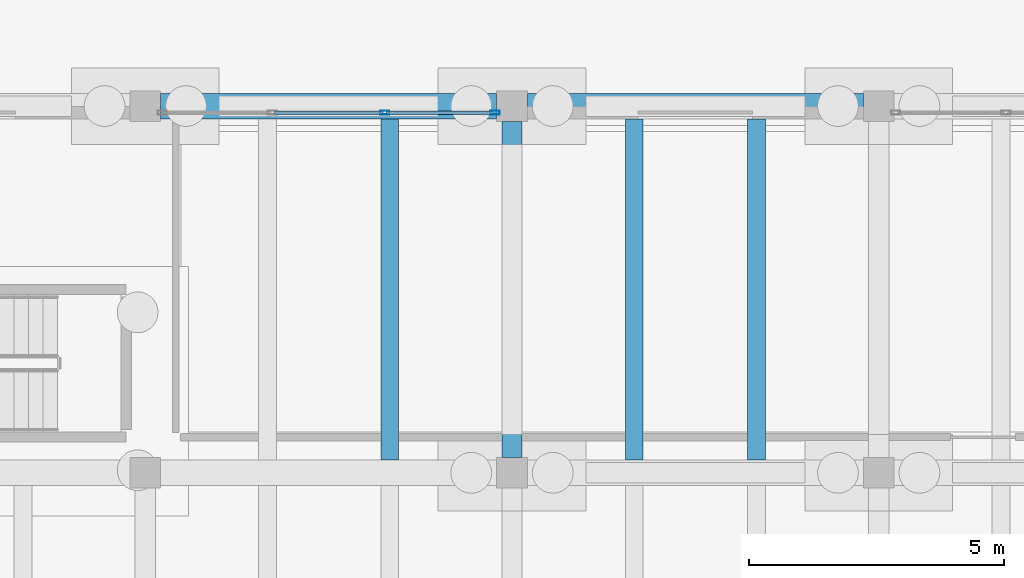
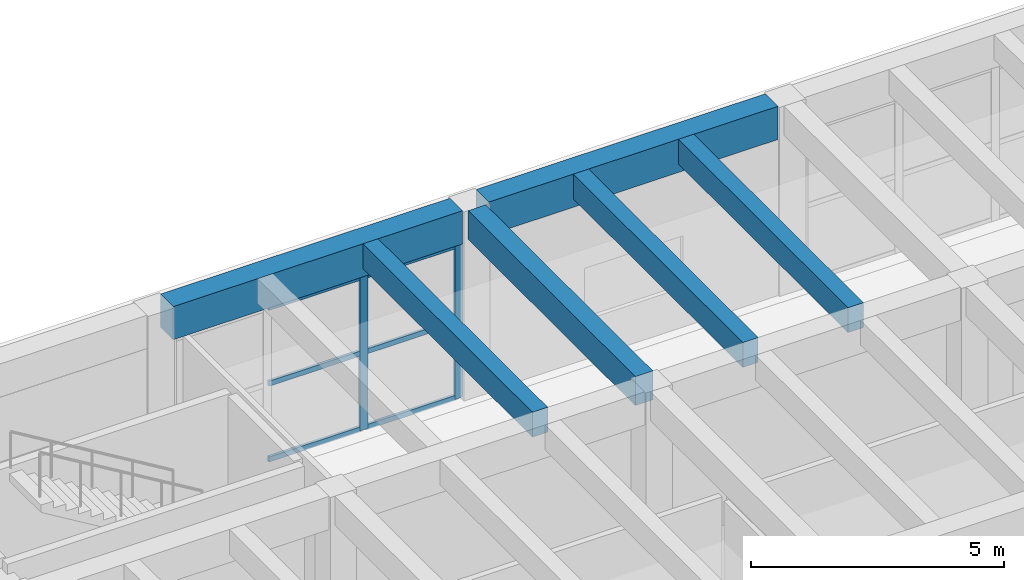
# One storey, part 55 of 155: 8 members, 6 beams, 1 element without a shape of its own.
"""IFC4 building model written with IfcOpenShell, lengths in metres."""

from ifc_helpers import new_model, si_unit, direction, frame, origin, origin_2d, place, context, subcontext, project, spatial, rectangle, hollow_rectangle, extrude, material, material_profile, profile_set, type_object, element, aggregate, save


model = new_model("IFC4")

# Units and contexts
model_context = context("Model", 3, precision=1e-05, world=origin(), true_north=direction((0.0, 1.0)))
body_context = subcontext(model_context, "Body", "Model", "MODEL_VIEW")
ifc_project = project(units=[si_unit("LENGTHUNIT", "METRE"), si_unit("AREAUNIT", "SQUARE_METRE"), si_unit("VOLUMEUNIT", "CUBIC_METRE"), si_unit("PLANEANGLEUNIT", "RADIAN"), si_unit("MASSUNIT", "GRAM", prefix="KILO")], contexts=[model_context])

# Site, building, storey
site_placement = place(None, origin())
site = spatial("IfcSite", under=ifc_project, at=site_placement, CompositionType="ELEMENT")
building_placement = place(site_placement, origin())
building = spatial("IfcBuilding", under=site, at=building_placement, Name="Bramvelor Terrace Health Centre", CompositionType="ELEMENT")
storey_placement = place(building_placement, origin())
storey = spatial("IfcBuildingStorey", under=building, at=storey_placement, Name="L01", CompositionType="ELEMENT", Elevation=0.0)

# Beams
ifc_material_1 = material(Name="Concrete C40/50", Category="concrete")
ifc_material_profile_1 = material_profile(ifc_material_1, rectangle(XDim=0.39990234375, YDim=0.699951171875, at=origin_2d()), Name="RC 400x700")
ifc_profile_set_1 = profile_set([ifc_material_profile_1], Name="Concrete C40/50")
beam_type_1 = type_object("IfcBeamType", Name="BM-RC-G700", PredefinedType="BEAM", material=ifc_profile_set_1)
beam_1_placement = place(storey_placement, frame((115.199951171875, 57.89990234375, 4.2099609375), z_axis=(0.0, 1.0, 0.0), x_axis=(-1.0, 0.0, 0.0)))
element("IfcBeam", 1, at=beam_1_placement, inside=storey, type_object=beam_type_1, Name="L01 Floor Girder", PredefinedType="BEAM", context=body_context, shape_type="SweptSolid", body=[
    extrude(rectangle(XDim=0.39990234375, YDim=0.699951171875, at=origin_2d()), origin(), (0.0, 0.0, 1.0), 6.60009765625),
])
ifc_material_2 = material(Name="Concrete C40/50", Category="concrete")
ifc_material_profile_2 = material_profile(ifc_material_2, rectangle(XDim=0.5, YDim=0.800048828125, at=origin_2d()), Name="RC 500x800")
ifc_profile_set_2 = profile_set([ifc_material_profile_2], Name="Concrete C40/50")
beam_type_2 = type_object("IfcBeamType", Name="BM-RC-G800", PredefinedType="BEAM", material=ifc_profile_set_2)
beam_2_placement = place(storey_placement, frame((108.300048828125, 64.800048828125, 4.159912109375), z_axis=(1.0, 0.0, 0.0), x_axis=(0.0, 1.0, 0.0)))
element("IfcBeam", 2, at=beam_2_placement, inside=storey, type_object=beam_type_2, Name="L01 Floor Girder", PredefinedType="BEAM", context=body_context, shape_type="SweptSolid", body=[
    extrude(rectangle(XDim=0.5, YDim=0.800048828125, at=origin_2d()), origin(), (0.0, 0.0, 1.0), 6.599853515625),
])
beam_3_placement = place(storey_placement, frame((115.5, 64.800048828125, 4.159912109375), z_axis=(1.0, 0.0, 0.0), x_axis=(0.0, 1.0, 0.0)))
element("IfcBeam", 3, at=beam_3_placement, inside=storey, type_object=beam_type_2, Name="L01 Floor Girder", PredefinedType="BEAM", context=body_context, shape_type="SweptSolid", body=[
    extrude(rectangle(XDim=0.5, YDim=0.800048828125, at=origin_2d()), origin(), (0.0, 0.0, 1.0), 6.60009765625),
])
ifc_material_3 = material(Name="Concrete C40/50", Category="concrete")
ifc_material_profile_3 = material_profile(ifc_material_3, rectangle(XDim=0.35009765625, YDim=0.60009765625, at=origin_2d()), Name="RC 350x600")
ifc_profile_set_3 = profile_set([ifc_material_profile_3], Name="Concrete C40/50")
beam_type_3 = type_object("IfcBeamType", Name="BM-RC-J600", PredefinedType="JOIST", material=ifc_profile_set_3)
for number, where, z_axis, x_axis, name in (
    (4, (112.800048828125, 57.85009765625, 4.260009765625), (0.0, 1.0, 0.0), (-1.0, 0.0, 0.0), "L01 Secondary Floor Joist"),
    (5, (117.60009765625, 57.85009765625, 4.260009765625), (0.0, 1.0, 0.0), (-1.0, 0.0, 0.0), "L01 Secondary Floor Joist"),
    (6, (120.0, 57.85009765625, 4.260009765625), (0.0, 1.0, 0.0), (-1.0, 0.0, 0.0), "L01 Secondary Floor Joist"),
):
    element("IfcBeam", number, at=place(storey_placement, frame(where, z_axis=z_axis, x_axis=x_axis)), inside=storey, type_object=beam_type_3, Name=name, PredefinedType="JOIST", context=body_context, shape_type="SweptSolid", body=[
        extrude(rectangle(XDim=0.35009765625, YDim=0.60009765625, at=origin_2d()), origin(), (0.0, 0.0, 1.0), 6.699951171875),
    ])

# Curtain wall, members
ifc_material_4 = material(Name="Anodized aluminium and double low-E glass", Category="aluminium")
curtain_wall_type = type_object("IfcCurtainWallType", Name="CW-SYS-02", PredefinedType="NOTDEFINED", material=ifc_material_4)
curtain_wall_placement = place(storey_placement, origin())
curtain_wall = element("IfcCurtainWall", 7, at=curtain_wall_placement, inside=storey, type_object=curtain_wall_type, Name="L01 Unitized Curtain Wall 37", PredefinedType="NOTDEFINED")
ifc_material_5 = material(Name="Anodized aluminium 6063-T6", Category="aluminium")
ifc_material_profile_4 = material_profile(ifc_material_5, hollow_rectangle(XDim=0.074951171875, YDim=0.179931640625, WallThickness=0.00341796875, at=origin_2d()), Name="ALU-MUL 75x180x3.5")
ifc_profile_set_4 = profile_set([ifc_material_profile_4], Name="Anodized aluminium 6063-T6")
member_type_1 = type_object("IfcMemberType", Name="CW-MUL-65x180", PredefinedType="MULLION", material=ifc_profile_set_4)
member_1_placement = place(storey_placement, frame((112.70166015625, 64.669921875, 0.0), z_axis=(0.0, 0.0, 1.0), x_axis=(0.0, 1.0, 0.0)))
member_1 = element("IfcMember", 8, at=member_1_placement, type_object=member_type_1, Name="CW-02 mullion 3", PredefinedType="MULLION", context=body_context, shape_type="SweptSolid", body=[
    extrude(hollow_rectangle(XDim=0.074951171875, YDim=0.179931640625, WallThickness=0.00341796875, at=origin_2d()), origin(), (0.0, 0.0, 1.0), 3.719970703125),
])
member_2_placement = place(storey_placement, frame((114.867431640625, 64.669921875, 0.0), z_axis=(0.0, 0.0, 1.0), x_axis=(0.0, 1.0, 0.0)))
member_2 = element("IfcMember", 9, at=member_2_placement, type_object=member_type_1, Name="CW-02 mullion 4", PredefinedType="MULLION", context=body_context, shape_type="SweptSolid", body=[
    extrude(hollow_rectangle(XDim=0.074951171875, YDim=0.179931640625, WallThickness=0.00341796875, at=origin_2d()), origin(), (0.0, 0.0, 1.0), 3.719970703125),
])
ifc_material_6 = material(Name="Anodized aluminium 6063-T6", Category="aluminium")
ifc_material_profile_5 = material_profile(ifc_material_6, hollow_rectangle(XDim=0.06494140625, YDim=0.1201171875, WallThickness=0.0029296875, at=origin_2d()), Name="ALU-TRN 65x120x3.0")
ifc_profile_set_5 = profile_set([ifc_material_profile_5], Name="Anodized aluminium 6063-T6")
member_type_2 = type_object("IfcMemberType", Name="CW-TRN-65x150", PredefinedType="USERDEFINED", material=ifc_profile_set_5)
member_3_placement = place(storey_placement, frame((110.535888671875, 64.669921875, 0.032470703125), z_axis=(1.0, 0.0, 0.0), x_axis=(0.0, 1.0, 0.0)))
member_3 = element("IfcMember", 10, at=member_3_placement, type_object=member_type_2, Name="CW-02 transom 2.1", ObjectType="TRANSOM", PredefinedType="USERDEFINED", context=body_context, shape_type="SweptSolid", body=[
    extrude(hollow_rectangle(XDim=0.06494140625, YDim=0.1201171875, WallThickness=0.0029296875, at=origin_2d()), origin(), (0.0, 0.0, 1.0), 2.128173828125),
])
member_4_placement = place(storey_placement, frame((110.535888671875, 64.669921875, 1.860107421875), z_axis=(1.0, 0.0, 0.0), x_axis=(0.0, 1.0, 0.0)))
member_4 = element("IfcMember", 11, at=member_4_placement, type_object=member_type_2, Name="CW-02 transom 2.2", ObjectType="TRANSOM", PredefinedType="USERDEFINED", context=body_context, shape_type="SweptSolid", body=[
    extrude(hollow_rectangle(XDim=0.06494140625, YDim=0.1201171875, WallThickness=0.0029296875, at=origin_2d()), origin(), (0.0, 0.0, 1.0), 2.128173828125),
])
member_5_placement = place(storey_placement, frame((110.535888671875, 64.669921875, 3.6875), z_axis=(1.0, 0.0, 0.0), x_axis=(0.0, 1.0, 0.0)))
member_5 = element("IfcMember", 12, at=member_5_placement, type_object=member_type_2, Name="CW-02 transom 2.3", ObjectType="TRANSOM", PredefinedType="USERDEFINED", context=body_context, shape_type="SweptSolid", body=[
    extrude(hollow_rectangle(XDim=0.06494140625, YDim=0.1201171875, WallThickness=0.0029296875, at=origin_2d()), origin(), (0.0, 0.0, 1.0), 2.128173828125),
])
member_6_placement = place(storey_placement, frame((112.7392578125, 64.669921875, 0.032470703125), z_axis=(1.0, 0.0, 0.0), x_axis=(0.0, 1.0, 0.0)))
member_6 = element("IfcMember", 13, at=member_6_placement, type_object=member_type_2, Name="CW-02 transom 3.1", ObjectType="TRANSOM", PredefinedType="USERDEFINED", context=body_context, shape_type="SweptSolid", body=[
    extrude(hollow_rectangle(XDim=0.06494140625, YDim=0.1201171875, WallThickness=0.0029296875, at=origin_2d()), origin(), (0.0, 0.0, 1.0), 2.0908203125),
])
member_7_placement = place(storey_placement, frame((112.7392578125, 64.669921875, 1.860107421875), z_axis=(1.0, 0.0, 0.0), x_axis=(0.0, 1.0, 0.0)))
member_7 = element("IfcMember", 14, at=member_7_placement, type_object=member_type_2, Name="CW-02 transom 3.2", ObjectType="TRANSOM", PredefinedType="USERDEFINED", context=body_context, shape_type="SweptSolid", body=[
    extrude(hollow_rectangle(XDim=0.06494140625, YDim=0.1201171875, WallThickness=0.0029296875, at=origin_2d()), origin(), (0.0, 0.0, 1.0), 2.0908203125),
])
member_8_placement = place(storey_placement, frame((112.7392578125, 64.669921875, 3.6875), z_axis=(1.0, 0.0, 0.0), x_axis=(0.0, 1.0, 0.0)))
member_8 = element("IfcMember", 15, at=member_8_placement, type_object=member_type_2, Name="CW-02 transom 3.3", ObjectType="TRANSOM", PredefinedType="USERDEFINED", context=body_context, shape_type="SweptSolid", body=[
    extrude(hollow_rectangle(XDim=0.06494140625, YDim=0.1201171875, WallThickness=0.0029296875, at=origin_2d()), origin(), (0.0, 0.0, 1.0), 2.0908203125),
])
aggregate(curtain_wall, [member_1, member_2, member_3, member_4, member_5, member_6, member_7, member_8])

save(model, "model.ifc")
